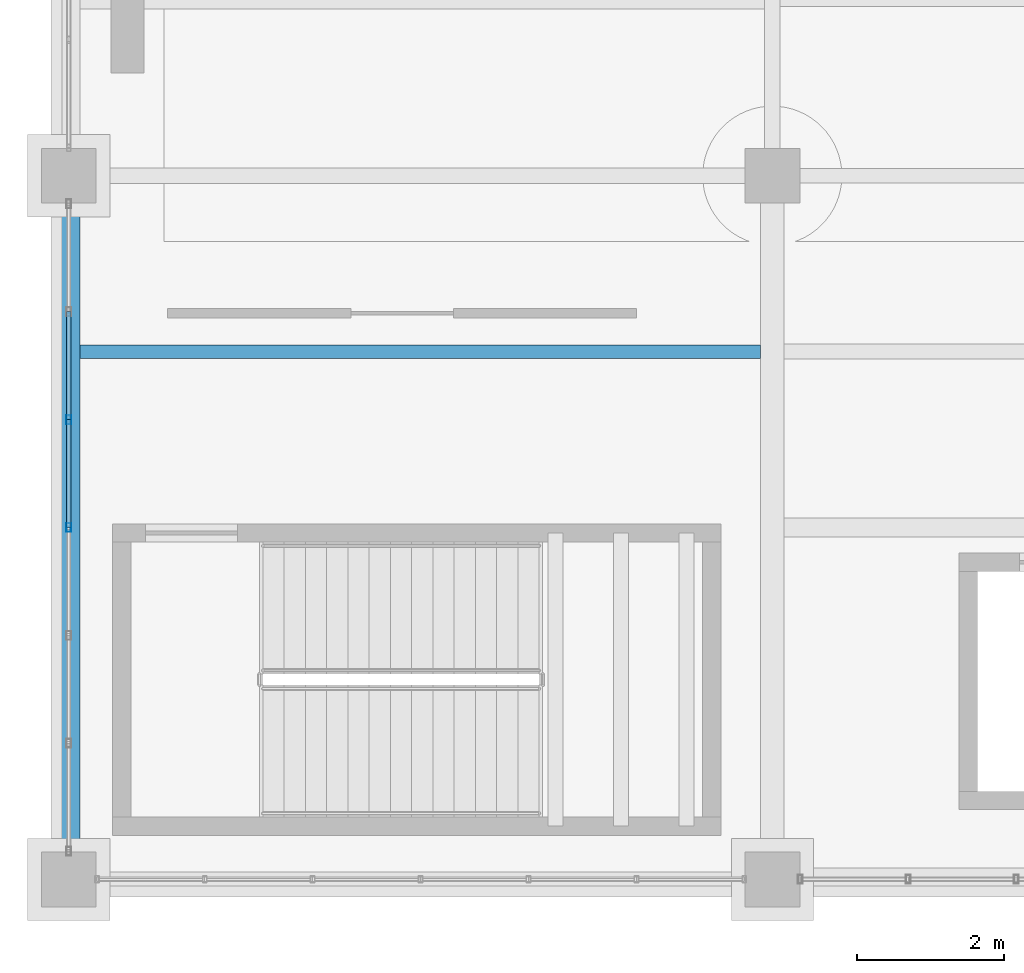
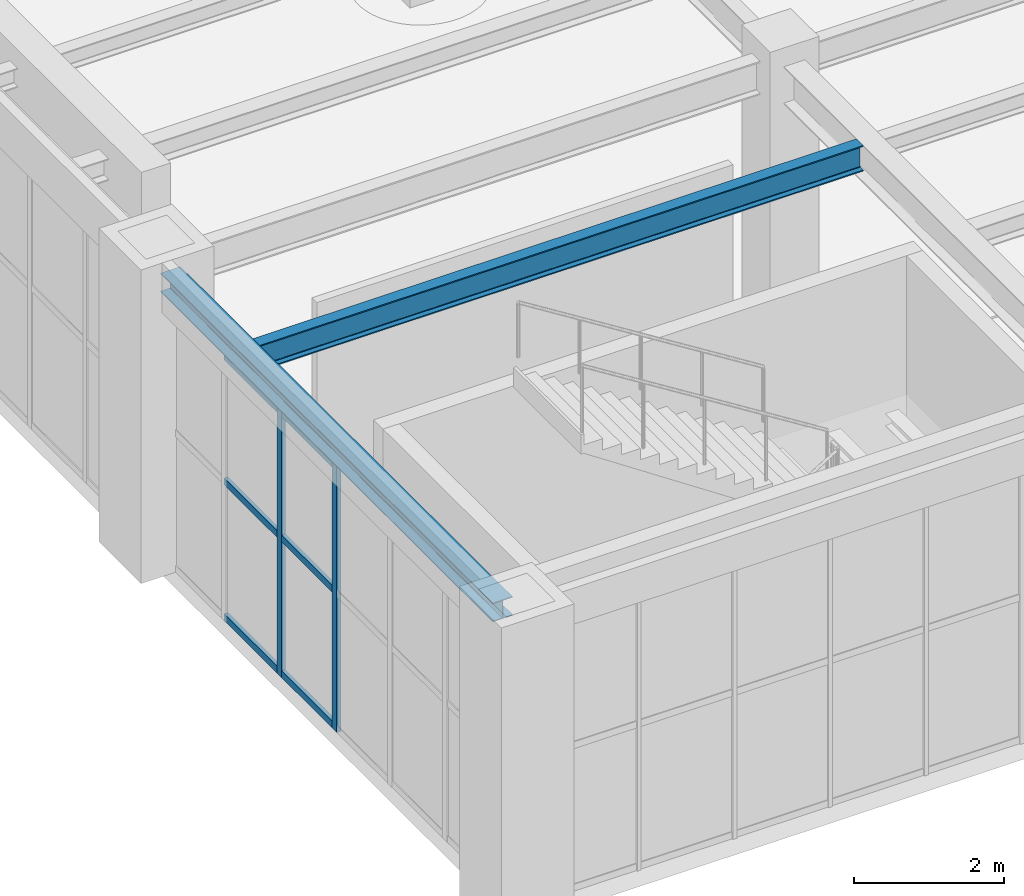
# One storey, part 5 of 174: 8 members, 2 beams, 1 element without a shape of its own.
"""IFC4 building model written with IfcOpenShell, lengths in metres."""

from ifc_helpers import new_model, si_unit, direction, frame, origin, origin_2d, place, context, subcontext, project, spatial, hollow_rectangle, i_section, extrude, material, material_profile, profile_set, type_object, element, aggregate, save


model = new_model("IFC4")

# Units and contexts
model_context = context("Model", 3, precision=1e-05, world=origin(), true_north=direction((0.0, 1.0)))
body_context = subcontext(model_context, "Body", "Model", "MODEL_VIEW")
ifc_project = project(units=[si_unit("LENGTHUNIT", "METRE"), si_unit("AREAUNIT", "SQUARE_METRE"), si_unit("VOLUMEUNIT", "CUBIC_METRE"), si_unit("PLANEANGLEUNIT", "RADIAN"), si_unit("MASSUNIT", "GRAM", prefix="KILO")], contexts=[model_context])

# Site, building, storey
site_placement = place(None, origin())
site = spatial("IfcSite", under=ifc_project, at=site_placement, CompositionType="ELEMENT")
building_placement = place(site_placement, origin())
building = spatial("IfcBuilding", under=site, at=building_placement, Name="Mavantir Sound Aquarium", CompositionType="ELEMENT")
storey_placement = place(building_placement, frame((0.0, 0.0, 5.39990234375)))
storey = spatial("IfcBuildingStorey", under=building, at=storey_placement, Name="L01", CompositionType="ELEMENT", Elevation=5.39990234375)

# Beams
ifc_material_1 = material(Name="Structural Steel ASTM A992 Gr50", Category="steel")
ifc_material_profile_1 = material_profile(ifc_material_1, i_section(OverallWidth=0.304931640625, OverallDepth=0.30810546875, WebThickness=0.010009765625, FlangeThickness=0.015380859375, FilletRadius=0.014892578125, at=origin_2d()), Name="W310X97")
ifc_profile_set_1 = profile_set([ifc_material_profile_1], Name="Structural Steel ASTM A992 Gr50")
beam_type_1 = type_object("IfcBeamType", Name="BM-W310X97-E", PredefinedType="SPANDREL", material=ifc_profile_set_1)
beam_1_placement = place(storey_placement, frame((0.0, 0.375, 4.64208984375), z_axis=(0.0, 1.0, 0.0), x_axis=(-1.0, 0.0, 0.0)))
element("IfcBeam", 1, at=beam_1_placement, inside=storey, type_object=beam_type_1, Name="L01 primary girder SS-31A 1222", PredefinedType="SPANDREL", context=body_context, shape_type="SweptSolid", body=[
    extrude(i_section(OverallWidth=0.304931640625, OverallDepth=0.30810546875, WebThickness=0.010009765625, FlangeThickness=0.015380859375, FilletRadius=0.014892578125, at=origin_2d()), origin(), (0.0, 0.0, 1.0), 8.85009765625),
])
ifc_material_profile_2 = material_profile(ifc_material_1, i_section(OverallWidth=0.180908203125, OverallDepth=0.4169921875, WebThickness=0.010986328125, FlangeThickness=0.018310546875, FilletRadius=0.014892578125, at=origin_2d()), Name="W410X85")
ifc_profile_set_2 = profile_set([ifc_material_profile_2], Name="Structural Steel ASTM A992 Gr50")
beam_type_2 = type_object("IfcBeamType", Name="BM-W410X85-I", PredefinedType="JOIST", material=ifc_profile_set_2)
beam_2_placement = place(storey_placement, frame((0.152587890625, 7.199951171875, 4.587646484375), z_axis=(1.0, 0.0, 0.0), x_axis=(0.0, 1.0, 0.0)))
element("IfcBeam", 2, at=beam_2_placement, inside=storey, type_object=beam_type_2, Name="L01 secondary floor joist SJ-41 689", PredefinedType="JOIST", context=body_context, shape_type="SweptSolid", body=[
    extrude(i_section(OverallWidth=0.180908203125, OverallDepth=0.4169921875, WebThickness=0.010986328125, FlangeThickness=0.018310546875, FilletRadius=0.014892578125, at=origin_2d()), origin(), (0.0, 0.0, 1.0), 9.285400390625),
])

# Curtain wall, members
ifc_material_2 = material(Name="Anodised Marine Aluminium and Low-E Glass", Category="aluminium")
curtain_wall_type = type_object("IfcCurtainWallType", Name="CW-T04", PredefinedType="USERDEFINED", material=ifc_material_2)
curtain_wall_placement = place(storey_placement, origin())
curtain_wall = element("IfcCurtainWall", 3, at=curtain_wall_placement, inside=storey, type_object=curtain_wall_type, Name="L01 unitised curtain wall CW-04 76", ObjectType="UNITISED GLAZING", PredefinedType="USERDEFINED")
ifc_material_3 = material(Name="Anodised Marine Aluminium 6063-T6", Category="aluminium")
ifc_material_profile_3 = material_profile(ifc_material_3, hollow_rectangle(XDim=0.06494140625, YDim=0.1201171875, WallThickness=0.00390625, at=origin_2d()), Name="ALU-MULLION-120X65")
ifc_profile_set_3 = profile_set([ifc_material_profile_3], Name="Anodised Marine Aluminium 6063-T6")
member_type_1 = type_object("IfcMemberType", Name="CW-MUL-120", PredefinedType="MULLION", material=ifc_profile_set_3)
member_1_placement = place(storey_placement, frame((0.0, 6.272216796875, 0.0), z_axis=(0.0, 0.0, 1.0), x_axis=(1.0, 0.0, 0.0)))
member_1 = element("IfcMember", 4, at=member_1_placement, type_object=member_type_1, Name="CW-L01-076 vertical mullion 3", PredefinedType="MULLION", context=body_context, shape_type="SweptSolid", body=[
    extrude(hollow_rectangle(XDim=0.06494140625, YDim=0.1201171875, WallThickness=0.00390625, at=origin_2d()), origin(), (0.0, 0.0, 1.0), 4.34912109375),
])
member_2_placement = place(storey_placement, frame((0.0, 4.800048828125, 0.0), z_axis=(0.0, 0.0, 1.0), x_axis=(1.0, 0.0, 0.0)))
member_2 = element("IfcMember", 5, at=member_2_placement, type_object=member_type_1, Name="CW-L01-076 vertical mullion 4", PredefinedType="MULLION", context=body_context, shape_type="SweptSolid", body=[
    extrude(hollow_rectangle(XDim=0.06494140625, YDim=0.1201171875, WallThickness=0.00390625, at=origin_2d()), origin(), (0.0, 0.0, 1.0), 4.34912109375),
])
ifc_material_profile_4 = material_profile(ifc_material_3, hollow_rectangle(XDim=0.06005859375, YDim=0.110107421875, WallThickness=0.00390625, at=origin_2d()), Name="ALU-TRANSOM-110X60")
ifc_profile_set_4 = profile_set([ifc_material_profile_4], Name="Anodised Marine Aluminium 6063-T6")
member_type_2 = type_object("IfcMemberType", Name="CW-TRN-110", PredefinedType="USERDEFINED", material=ifc_profile_set_4)
member_3_placement = place(storey_placement, frame((0.0, 7.74462890625, 0.05517578125), z_axis=(0.0, -1.0, 0.0), x_axis=(1.0, 0.0, 0.0)))
member_3 = element("IfcMember", 6, at=member_3_placement, type_object=member_type_2, Name="CW-L01-076 transom 2.1", ObjectType="TRANSOM", PredefinedType="USERDEFINED", context=body_context, shape_type="SweptSolid", body=[
    extrude(hollow_rectangle(XDim=0.06005859375, YDim=0.110107421875, WallThickness=0.00390625, at=origin_2d()), origin(), (0.0, 0.0, 1.0), 1.472412109375),
])
member_4_placement = place(storey_placement, frame((0.0, 7.74462890625, 2.26171875), z_axis=(0.0, -1.0, 0.0), x_axis=(1.0, 0.0, 0.0)))
member_4 = element("IfcMember", 7, at=member_4_placement, type_object=member_type_2, Name="CW-L01-076 transom 2.2", ObjectType="TRANSOM", PredefinedType="USERDEFINED", context=body_context, shape_type="SweptSolid", body=[
    extrude(hollow_rectangle(XDim=0.06005859375, YDim=0.110107421875, WallThickness=0.00390625, at=origin_2d()), origin(), (0.0, 0.0, 1.0), 1.472412109375),
])
member_5_placement = place(storey_placement, frame((0.0, 7.74462890625, 4.294189453125), z_axis=(0.0, -1.0, 0.0), x_axis=(1.0, 0.0, 0.0)))
member_5 = element("IfcMember", 8, at=member_5_placement, type_object=member_type_2, Name="CW-L01-076 transom 2.3", ObjectType="TRANSOM", PredefinedType="USERDEFINED", context=body_context, shape_type="SweptSolid", body=[
    extrude(hollow_rectangle(XDim=0.06005859375, YDim=0.110107421875, WallThickness=0.00390625, at=origin_2d()), origin(), (0.0, 0.0, 1.0), 1.472412109375),
])
member_6_placement = place(storey_placement, frame((0.0, 6.272216796875, 0.05517578125), z_axis=(0.0, -1.0, 0.0), x_axis=(1.0, 0.0, 0.0)))
member_6 = element("IfcMember", 9, at=member_6_placement, type_object=member_type_2, Name="CW-L01-076 transom 3.1", ObjectType="TRANSOM", PredefinedType="USERDEFINED", context=body_context, shape_type="SweptSolid", body=[
    extrude(hollow_rectangle(XDim=0.06005859375, YDim=0.110107421875, WallThickness=0.00390625, at=origin_2d()), origin(), (0.0, 0.0, 1.0), 1.47216796875),
])
member_7_placement = place(storey_placement, frame((0.0, 6.272216796875, 2.26171875), z_axis=(0.0, -1.0, 0.0), x_axis=(1.0, 0.0, 0.0)))
member_7 = element("IfcMember", 10, at=member_7_placement, type_object=member_type_2, Name="CW-L01-076 transom 3.2", ObjectType="TRANSOM", PredefinedType="USERDEFINED", context=body_context, shape_type="SweptSolid", body=[
    extrude(hollow_rectangle(XDim=0.06005859375, YDim=0.110107421875, WallThickness=0.00390625, at=origin_2d()), origin(), (0.0, 0.0, 1.0), 1.47216796875),
])
member_8_placement = place(storey_placement, frame((0.0, 6.272216796875, 4.294189453125), z_axis=(0.0, -1.0, 0.0), x_axis=(1.0, 0.0, 0.0)))
member_8 = element("IfcMember", 11, at=member_8_placement, type_object=member_type_2, Name="CW-L01-076 transom 3.3", ObjectType="TRANSOM", PredefinedType="USERDEFINED", context=body_context, shape_type="SweptSolid", body=[
    extrude(hollow_rectangle(XDim=0.06005859375, YDim=0.110107421875, WallThickness=0.00390625, at=origin_2d()), origin(), (0.0, 0.0, 1.0), 1.47216796875),
])
aggregate(curtain_wall, [member_1, member_2, member_3, member_4, member_5, member_6, member_7, member_8])

save(model, "model.ifc")
